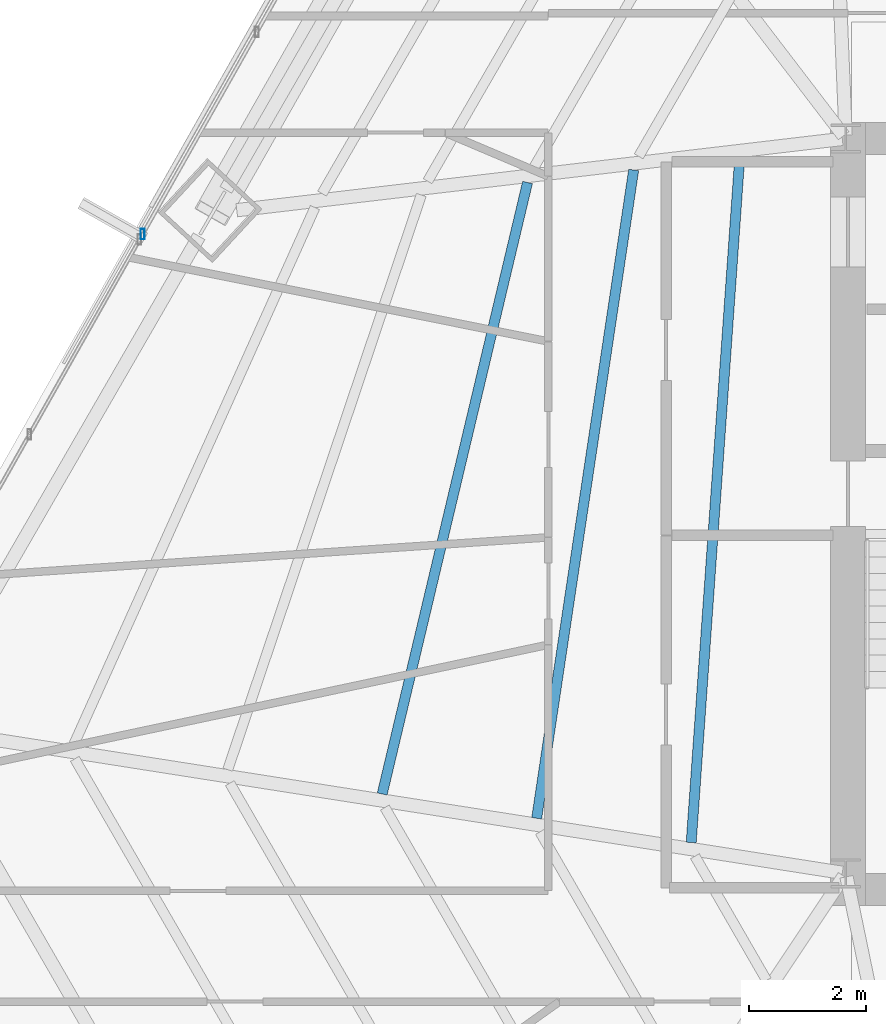
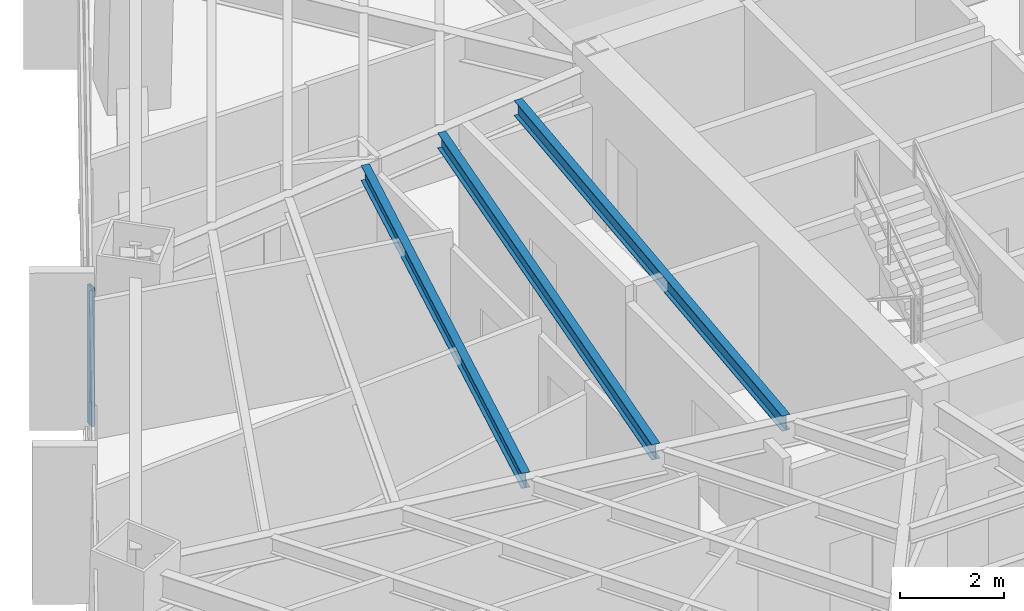
# One storey, part 12 of 39: 3 beams, 1 member, 1 element without a shape of its own.
"""IFC4 building model written with IfcOpenShell, lengths in metres."""

from ifc_helpers import new_model, si_unit, direction, frame, origin, origin_2d, place, context, subcontext, project, spatial, hollow_rectangle, i_section, extrude, source, transform, mapped, material, material_profile, profile_set, type_object, type_shapes, element, aggregate, save


model = new_model("IFC4")

# Units and contexts
model_context = context("Model", 3, precision=1e-05, world=origin(), true_north=direction((0.0, 1.0)))
body_context = subcontext(model_context, "Body", "Model", "MODEL_VIEW")
ifc_project = project(units=[si_unit("LENGTHUNIT", "METRE"), si_unit("AREAUNIT", "SQUARE_METRE"), si_unit("VOLUMEUNIT", "CUBIC_METRE"), si_unit("PLANEANGLEUNIT", "RADIAN"), si_unit("MASSUNIT", "GRAM", prefix="KILO")], contexts=[model_context])

# Site, building, storey
site_placement = place(None, origin())
site = spatial("IfcSite", under=ifc_project, at=site_placement, CompositionType="ELEMENT")
building_placement = place(site_placement, origin())
building = spatial("IfcBuilding", under=site, at=building_placement, Name="Caelisora Broadcast Tower", CompositionType="ELEMENT")
storey_placement = place(building_placement, frame((0.0, 0.0, 71.39990234375)))
storey = spatial("IfcBuildingStorey", under=building, at=storey_placement, Name="L18", CompositionType="ELEMENT", Elevation=71.39990234375)

# Beams
ifc_material_1 = material(Name="Steel Grade 350 (AS/NZS 3679.1)", Category="steel")
ifc_material_profile_1 = material_profile(ifc_material_1, i_section(OverallWidth=0.172119140625, OverallDepth=0.358642578125, WebThickness=0.008056640625, FlangeThickness=0.012939453125, at=origin_2d()), Name="Steel Grade 350 (AS/NZS 3679.1)")
ifc_profile_set_1 = profile_set([ifc_material_profile_1], Name="Steel Grade 350 (AS/NZS 3679.1)")
beam_type = type_object("IfcBeamType", Name="SB02", PredefinedType="JOIST", material=ifc_profile_set_1)
shared_shape_1 = source(origin(), body_context, "Body", "SweptSolid", [
    extrude(i_section(OverallWidth=0.172119140625, OverallDepth=0.358642578125, WebThickness=0.008056640625, FlangeThickness=0.012939453125, at=origin_2d()), origin(), (0.0, 0.0, 1.0), 11.775146484375),
])
beam_1_placement = place(storey_placement, frame((28.68212890625, 29.67431640625, 3.07080078125), z_axis=(-0.070701859253, -0.997497492277, 0.0), x_axis=(0.997497492277, -0.070701859253, 0.0)))
element("IfcBeam", 1, at=beam_1_placement, inside=storey, type_object=beam_type, Name="L18 beam SB02", PredefinedType="JOIST", context=body_context, shape_type="MappedRepresentation", body=[
    mapped(shared_shape_1, transform((0.0, 0.0, 0.0), scale=1.0)),
])
shared_shape_2 = source(origin(), body_context, "Body", "SweptSolid", [
    extrude(i_section(OverallWidth=0.172119140625, OverallDepth=0.358642578125, WebThickness=0.008056640625, FlangeThickness=0.012939453125, at=origin_2d()), origin(), (0.0, 0.0, 1.0), 11.2392578125),
])
beam_2_placement = place(storey_placement, frame((26.86328125, 29.4599609375, 3.07080078125), z_axis=(-0.147993101602, -0.988988393197, 0.0), x_axis=(0.988988393197, -0.147993101602, 0.0)))
element("IfcBeam", 2, at=beam_2_placement, inside=storey, type_object=beam_type, Name="L18 beam SB02", PredefinedType="JOIST", context=body_context, shape_type="MappedRepresentation", body=[
    mapped(shared_shape_2, transform((0.0, 0.0, 0.0), scale=1.0)),
])
shared_shape_3 = source(origin(), body_context, "Body", "SweptSolid", [
    extrude(i_section(OverallWidth=0.172119140625, OverallDepth=0.358642578125, WebThickness=0.008056640625, FlangeThickness=0.012939453125, at=origin_2d()), origin(), (0.0, 0.0, 1.0), 10.777099609375),
])
type_shapes(beam_type, [shared_shape_1, shared_shape_2, shared_shape_3])
beam_3_placement = place(storey_placement, frame((25.043212890625, 29.24560546875, 3.07080078125), z_axis=(-0.231245854091, -0.972895346358, 0.0), x_axis=(0.972895346358, -0.231245854091, 0.0)))
element("IfcBeam", 3, at=beam_3_placement, inside=storey, type_object=beam_type, Name="L18 beam SB02", PredefinedType="JOIST", context=body_context, shape_type="MappedRepresentation", body=[
    mapped(shared_shape_3, transform((0.0, 0.0, 0.0), scale=1.0)),
])

# Curtain wall, member
ifc_material_2 = material(Name="Unitised Aluminium Insulated Shadow-Box Spandrel Curtain Wall", Category="aluminium")
curtain_wall_type = type_object("IfcCurtainWallType", Name="CW-SP1", PredefinedType="NOTDEFINED", material=ifc_material_2)
curtain_wall_placement = place(storey_placement, origin())
curtain_wall = element("IfcCurtainWall", 4, at=curtain_wall_placement, inside=storey, type_object=curtain_wall_type, Name="L18 curtain wall CW-SP1", PredefinedType="NOTDEFINED")
ifc_material_3 = material(Name="Aluminium 6063-T6 Anodised Terracotta Bronze", Category="aluminium")
ifc_material_profile_2 = material_profile(ifc_material_3, hollow_rectangle(XDim=0.06494140625, YDim=0.179931640625, WallThickness=0.00341796875, at=origin_2d()), Name="Aluminium 6063-T6 Anodised Terracotta Bronze")
ifc_profile_set_2 = profile_set([ifc_material_profile_2], Name="Aluminium 6063-T6 Anodised Terracotta Bronze")
member_type = type_object("IfcMemberType", Name="CWM-02", PredefinedType="MULLION", material=ifc_profile_set_2)
shared_shape_4 = source(origin(), body_context, "Body", "SweptSolid", [
    extrude(hollow_rectangle(XDim=0.06494140625, YDim=0.179931640625, WallThickness=0.00341796875, at=origin_2d()), origin(), (0.0, 0.0, 1.0), 3.25),
])
type_shapes(member_type, [shared_shape_4])
member_placement = place(storey_placement, frame((18.4443359375, 28.360595703125, 0.0), z_axis=(0.0, 0.0, 1.0), x_axis=(1.0, 0.0, 0.0)))
member = element("IfcMember", 5, at=member_placement, type_object=member_type, Name="L18-CW-B10 mullion #0", PredefinedType="MULLION", context=body_context, shape_type="MappedRepresentation", body=[
    mapped(shared_shape_4, transform((0.0, 0.0, 0.0), scale=1.0)),
])
aggregate(curtain_wall, [member])

save(model, "model.ifc")
